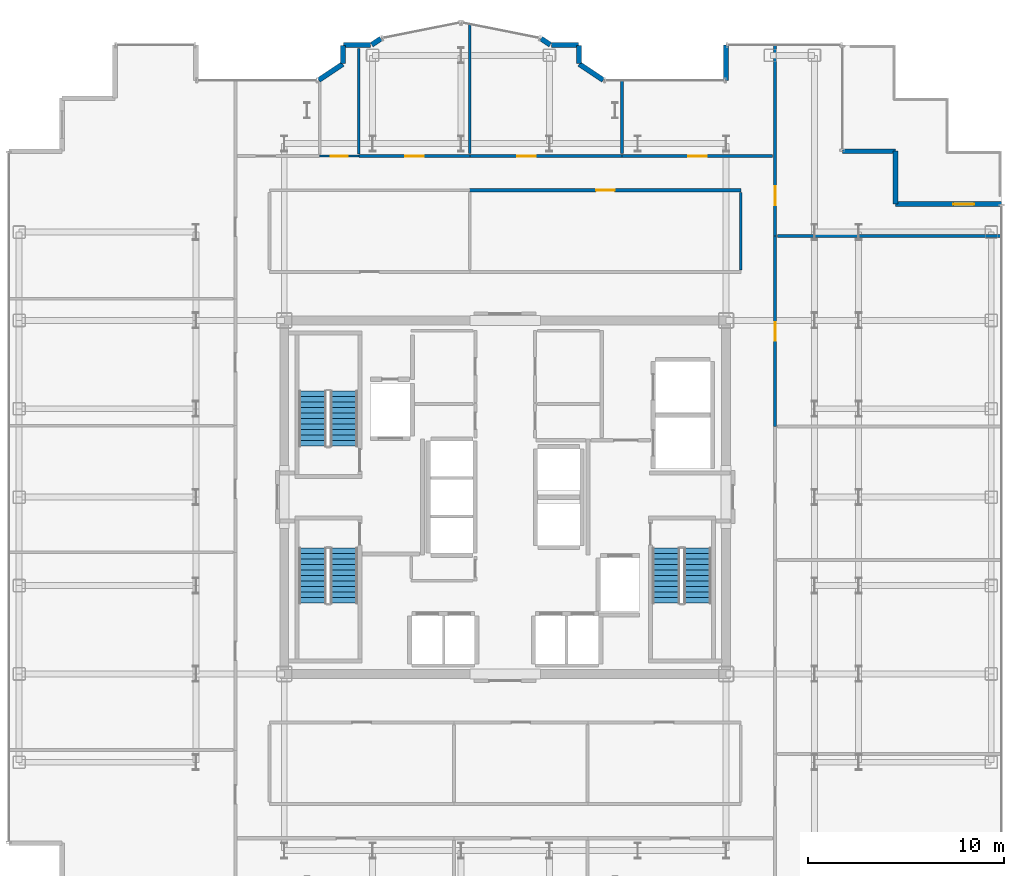
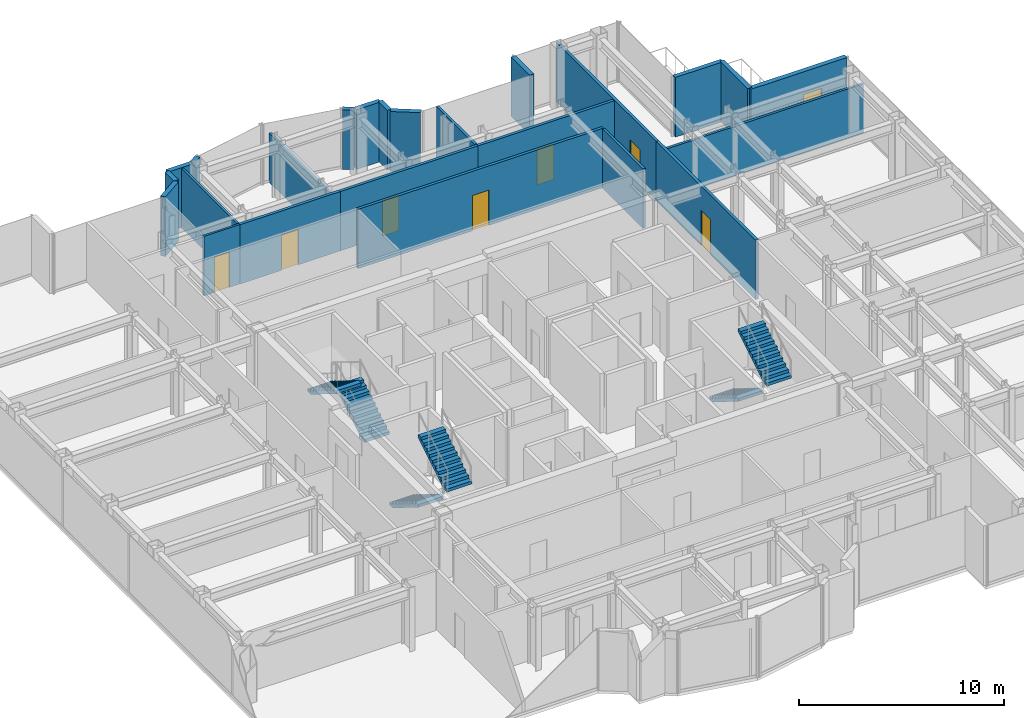
# One storey, part 18 of 20: 24 walls, 8 doors, 6 stair flights, 8 openings, 3 elements without a shape of their own.
"""IFC4 building model written with IfcOpenShell, lengths in metres."""

from ifc_helpers import new_model, si_unit, direction, frame, frame_2d, origin, place, context, subcontext, project, spatial, polyline, rectangle, outline, extrude, source, transform, mapped, material, layer, layer_set, type_object, element, fill, aggregate, save


model = new_model("IFC4")

# Units and contexts
model_context = context("Model", 3, precision=1e-05, world=origin(), true_north=direction((0.0, 1.0)))
body_context = subcontext(model_context, "Body", "Model", "MODEL_VIEW")
ifc_project = project(units=[si_unit("LENGTHUNIT", "METRE"), si_unit("AREAUNIT", "SQUARE_METRE"), si_unit("VOLUMEUNIT", "CUBIC_METRE"), si_unit("PLANEANGLEUNIT", "RADIAN"), si_unit("MASSUNIT", "GRAM", prefix="KILO")], contexts=[model_context])

# Site, building, storey
site_placement = place(None, origin())
site = spatial("IfcSite", under=ifc_project, at=site_placement, CompositionType="ELEMENT")
building_placement = place(site_placement, origin())
building = spatial("IfcBuilding", under=site, at=building_placement, Name="Nefas-Gora Pilgrimage Tower", CompositionType="ELEMENT")
storey_placement = place(building_placement, frame((0.0, 0.0, 221.800048828125)))
storey = spatial("IfcBuildingStorey", under=building, at=storey_placement, Name="L55", CompositionType="ELEMENT", Elevation=221.800048828125)

# Walls
ifc_material_1 = material(Name="Precast concrete C40/50", Category="concrete")
ifc_layer_1 = layer(ifc_material_1, 0.260009765625)
ifc_layer_set_1 = layer_set([ifc_layer_1], Name="Precast concrete C40/50")
wall_type_1 = type_object("IfcWallType", Name="EW-PORTAL-260", PredefinedType="SOLIDWALL", material=ifc_layer_set_1)
shared_shape_1 = source(origin(), body_context, "Body", "SweptSolid", [
    extrude(rectangle(XDim=1.800048828125, YDim=0.260009765625, at=frame_2d((0.89990234375, 0.0))), origin(), (0.0, 0.0, 1.0), 3.550048828125),
])
wall_1_placement = place(storey_placement, frame((11.25, 23.02001953125, 0.0), z_axis=(0.0, 0.0, 1.0), x_axis=(0.0, -1.0, 0.0)))
element("IfcWall", 1, at=wall_1_placement, inside=storey, type_object=wall_type_1, Name="L55 Lobe Shoulder Precast Spandrel Pier 9", PredefinedType="SOLIDWALL", context=body_context, shape_type="MappedRepresentation", body=[
    mapped(shared_shape_1, transform((0.0, 0.0, 0.0), x_axis=(1.0, 0.0, 0.0), y_axis=(0.0, 1.0, 0.0), z_axis=(0.0, 0.0, 1.0), scale=1.0)),
])
shared_shape_2 = source(origin(), body_context, "Body", "SweptSolid", [
    extrude(rectangle(XDim=1.468994140625, YDim=0.260009765625, at=frame_2d((0.734375, 0.0))), origin(), (0.0, 0.0, 1.0), 3.550048828125),
])
for number, where, z_axis, x_axis, name in (
    (2, (4.99462890625, 21.235595703125, 0.0), (0.0, 0.0, 1.0), (-0.831461760506, 0.555581983884, 0.0), "L55 Lobe Shoulder Precast Spandrel Pier 10"),
    (3, (-8.273193359375, 22.0517578125, 0.0), (0.0, 0.0, 1.0), (-0.831461760506, -0.555581983884, 0.0), "L55 Lobe Shoulder Precast Spandrel Pier 17"),
):
    element("IfcWall", number, at=place(storey_placement, frame(where, z_axis=z_axis, x_axis=x_axis)), inside=storey, type_object=wall_type_1, Name=name, PredefinedType="SOLIDWALL", context=body_context, shape_type="MappedRepresentation", body=[
        mapped(shared_shape_2, transform((0.0, 0.0, 0.0), x_axis=(1.0, 0.0, 0.0), y_axis=(0.0, 1.0, 0.0), z_axis=(0.0, 0.0, 1.0), scale=1.0)),
    ])
shared_shape_3 = source(origin(), body_context, "Body", "SweptSolid", [
    extrude(rectangle(XDim=0.896728515625, YDim=0.260009765625, at=frame_2d((0.4482421875, 0.0))), origin(), (0.0, 0.0, 1.0), 3.550048828125),
])
for number, where, z_axis, x_axis, name in (
    (4, (3.75, 22.09521484375, 0.0), (0.0, 0.0, 1.0), (0.0, 1.0, 0.0), "L55 Lobe Shoulder Precast Spandrel Pier 11"),
    (5, (-8.25, 22.991943359375, 0.0), (0.0, 0.0, 1.0), (0.0, -1.0, 0.0), "L55 Lobe Shoulder Precast Spandrel Pier 16"),
):
    element("IfcWall", number, at=place(storey_placement, frame(where, z_axis=z_axis, x_axis=x_axis)), inside=storey, type_object=wall_type_1, Name=name, PredefinedType="SOLIDWALL", context=body_context, shape_type="MappedRepresentation", body=[
        mapped(shared_shape_3, transform((0.0, 0.0, 0.0), x_axis=(1.0, 0.0, 0.0), y_axis=(0.0, 1.0, 0.0), z_axis=(0.0, 0.0, 1.0), scale=1.0)),
    ])
shared_shape_4 = source(origin(), body_context, "Body", "SweptSolid", [
    extrude(rectangle(XDim=1.369873046875, YDim=0.260009765625, at=frame_2d((0.68505859375, 0.0))), origin(), (0.0, 0.0, 1.0), 3.550048828125),
])
for number, where, z_axis, x_axis, name in (
    (6, (3.721923828125, 23.02001953125, 0.0), (0.0, 0.0, 1.0), (-1.0, 0.0, 0.0), "L55 Lobe Shoulder Precast Spandrel Pier 12"),
    (7, (-6.85205078125, 23.02001953125, 0.0), (0.0, 0.0, 1.0), (-1.0, 0.0, 0.0), "L55 Lobe Shoulder Precast Spandrel Pier 15"),
):
    element("IfcWall", number, at=place(storey_placement, frame(where, z_axis=z_axis, x_axis=x_axis)), inside=storey, type_object=wall_type_1, Name=name, PredefinedType="SOLIDWALL", context=body_context, shape_type="MappedRepresentation", body=[
        mapped(shared_shape_4, transform((0.0, 0.0, 0.0), x_axis=(1.0, 0.0, 0.0), y_axis=(0.0, 1.0, 0.0), z_axis=(0.0, 0.0, 1.0), scale=1.0)),
    ])
shared_shape_5 = source(origin(), body_context, "Body", "SweptSolid", [
    extrude(rectangle(XDim=0.5654296875, YDim=0.260009765625, at=frame_2d((0.28271484375, 0.0))), origin(), (0.0, 0.0, 1.0), 3.550048828125),
])
for number, where, z_axis, x_axis, name in (
    (8, (2.30078125, 23.03564453125, 0.0), (0.0, 0.0, 1.0), (-0.831651492666, 0.555297933317, 0.0), "L55 Lobe Shoulder Precast Spandrel Pier 13"),
    (9, (-6.33056640625, 23.349609375, 0.0), (0.0, 0.0, 1.0), (-0.831651492666, -0.555297933317, 0.0), "L55 Lobe Shoulder Precast Spandrel Pier 14"),
):
    element("IfcWall", number, at=place(storey_placement, frame(where, z_axis=z_axis, x_axis=x_axis)), inside=storey, type_object=wall_type_1, Name=name, PredefinedType="SOLIDWALL", context=body_context, shape_type="MappedRepresentation", body=[
        mapped(shared_shape_5, transform((0.0, 0.0, 0.0), x_axis=(1.0, 0.0, 0.0), y_axis=(0.0, 1.0, 0.0), z_axis=(0.0, 0.0, 1.0), scale=1.0)),
    ])

# Wall, opening, door
shared_shape_6 = source(origin(), body_context, "Body", "SweptSolid", [
    extrude(rectangle(XDim=5.39990234375, YDim=0.260009765625, at=frame_2d((2.699951171875, 0.0))), origin(), (0.0, 0.0, 1.0), 3.550048828125),
])
wall_2_placement = place(storey_placement, frame((25.27001953125, 14.919921875, 0.0), z_axis=(0.0, 0.0, 1.0), x_axis=(-1.0, 0.0, 0.0)))
wall_2 = element("IfcWall", 10, at=wall_2_placement, inside=storey, type_object=wall_type_1, Name="L55 Insulated Terrace Portal Wall 6", PredefinedType="SOLIDWALL", context=body_context, shape_type="MappedRepresentation", body=[
    mapped(shared_shape_6, transform((0.0, 0.0, 0.0), x_axis=(1.0, 0.0, 0.0), y_axis=(0.0, 1.0, 0.0), z_axis=(0.0, 0.0, 1.0), scale=1.0)),
])
opening_1_placement = place(wall_2_placement, frame((1.39697265625, 0.0, 0.0)))
opening_1 = element("IfcOpeningElement", 11, at=opening_1_placement, cuts=wall_2, Name="Opening ED-T1", PredefinedType="OPENING", context=body_context, shape_type="SweptSolid", body=[
    extrude(rectangle(XDim=1.050048828125, YDim=2.199951171875, at=frame_2d((0.52490234375, 1.10009765625))), frame((0.0, 0.139892578125, 0.0), z_axis=(0.0, -1.0, 0.0), x_axis=(1.0, 0.0, 0.0)), (0.0, 0.0, 1.0), 0.280029296875),
])
ifc_material_2 = material(Name="Thermally broken glazed aluminium terrace door", Category="aluminium")
door_type_1 = type_object("IfcDoorType", Name="DR-EXT-TER-1050", OperationType="NOTDEFINED", PredefinedType="DOOR", material=ifc_material_2)
shared_shape_7 = source(origin(), body_context, "Body", "SweptSolid", [
    extrude(rectangle(XDim=1.050048828125, YDim=2.199951171875, at=frame_2d((0.52490234375, 1.10009765625))), frame((0.0, 0.02490234375, 0.0), z_axis=(0.0, -1.0, 0.0), x_axis=(1.0, 0.0, 0.0)), (0.0, 0.0, 1.0), 0.050048828125),
])
door_1_placement = place(opening_1_placement, origin())
door_1 = element("IfcDoor", 12, at=door_1_placement, inside=storey, type_object=door_type_1, Name="L55 Exterior Door (L55 Outdoor Terrace TER-SP-NE)", OperationType="SINGLE_SWING_LEFT", OverallHeight=2.199951171875, OverallWidth=1.050048828125, PredefinedType="DOOR", context=body_context, shape_type="MappedRepresentation", body=[
    mapped(shared_shape_7, transform((0.0, 0.0, 0.0), x_axis=(1.0, 0.0, 0.0), y_axis=(0.0, 1.0, 0.0), z_axis=(0.0, 0.0, 1.0), scale=1.0)),
])
fill(opening_1, door_1)

# Walls
ifc_material_3 = material(Name="Precast concrete C45/55", Category="concrete")
ifc_layer_2 = layer(ifc_material_3, 0.239990234375)
ifc_layer_set_2 = layer_set([ifc_layer_2], Name="Precast concrete C45/55")
wall_type_2 = type_object("IfcWallType", Name="EW-SERR-240", PredefinedType="SHEAR", material=ifc_layer_set_2)
shared_shape_8 = source(origin(), body_context, "Body", "SweptSolid", [
    extrude(rectangle(XDim=2.7001953125, YDim=0.239990234375, at=frame_2d((1.35009765625, 0.0))), origin(), (0.0, 0.0, 1.0), 3.550048828125),
])
for number, where, z_axis, x_axis, name in (
    (13, (19.8701171875, 14.919921875, 0.0), (0.0, 0.0, 1.0), (0.0, 1.0, 0.0), "L55 Serrated Corner Shear Pier Wall 7"),
    (14, (19.8701171875, 17.6201171875, 0.0), (0.0, 0.0, 1.0), (-1.0, 0.0, 0.0), "L55 Serrated Corner Shear Pier Wall 8"),
):
    element("IfcWall", number, at=place(storey_placement, frame(where, z_axis=z_axis, x_axis=x_axis)), inside=storey, type_object=wall_type_2, Name=name, PredefinedType="SHEAR", context=body_context, shape_type="MappedRepresentation", body=[
        mapped(shared_shape_8, transform((0.0, 0.0, 0.0), x_axis=(1.0, 0.0, 0.0), y_axis=(0.0, 1.0, 0.0), z_axis=(0.0, 0.0, 1.0), scale=1.0)),
    ])

# Wall, opening, door
ifc_material_4 = material(Name="Moisture-resistant fire-rated gypsum partition")
ifc_layer_3 = layer(ifc_material_4, 0.1201171875)
ifc_layer_set_3 = layer_set([ifc_layer_3], Name="Moisture-resistant fire-rated gypsum partition")
wall_type_3 = type_object("IfcWallType", Name="IW-WET-120", PredefinedType="PLUMBINGWALL", material=ifc_layer_set_3)
shared_shape_9 = source(origin(), body_context, "Body", "SweptSolid", [
    extrude(rectangle(XDim=2.02001953125, YDim=0.1201171875, at=frame_2d((1.010009765625, 0.0))), origin(), (0.0, 0.0, 1.0), 3.534912109375),
])
wall_3_placement = place(storey_placement, frame((-9.4599609375, 17.3701171875, 0.0), z_axis=(0.0, 0.0, 1.0), x_axis=(1.0, 0.0, 0.0)))
wall_3 = element("IfcWall", 15, at=wall_3_placement, inside=storey, type_object=wall_type_3, Name="L55 Accessible Unisex WC Partition Wall 29", PredefinedType="PLUMBINGWALL", context=body_context, shape_type="MappedRepresentation", body=[
    mapped(shared_shape_9, transform((0.0, 0.0, 0.0), x_axis=(1.0, 0.0, 0.0), y_axis=(0.0, 1.0, 0.0), z_axis=(0.0, 0.0, 1.0), scale=1.0)),
])
opening_2_placement = place(wall_3_placement, frame((0.5849609375, 0.0, 0.0)))
opening_2 = element("IfcOpeningElement", 16, at=opening_2_placement, cuts=wall_3, Name="Opening ID-BT1", PredefinedType="OPENING", context=body_context, shape_type="SweptSolid", body=[
    extrude(rectangle(XDim=0.85009765625, YDim=2.10009765625, at=frame_2d((0.425048828125, 1.050048828125))), frame((0.0, 0.070068359375, 0.0), z_axis=(0.0, -1.0, 0.0), x_axis=(1.0, 0.0, 0.0)), (0.0, 0.0, 1.0), 0.14013671875),
])
ifc_material_5 = material(Name="Moisture-resistant fire-rated timber door", Category="wood")
door_type_2 = type_object("IfcDoorType", Name="DR-INT-BATH-850", OperationType="NOTDEFINED", PredefinedType="DOOR", material=ifc_material_5)
shared_shape_10 = source(origin(), body_context, "Body", "SweptSolid", [
    extrude(rectangle(XDim=0.85009765625, YDim=2.10009765625, at=frame_2d((0.425048828125, 1.050048828125))), frame((0.0, 0.02490234375, 0.0), z_axis=(0.0, -1.0, 0.0), x_axis=(1.0, 0.0, 0.0)), (0.0, 0.0, 1.0), 0.050048828125),
])
door_2_placement = place(opening_2_placement, origin())
door_2 = element("IfcDoor", 17, at=door_2_placement, inside=storey, type_object=door_type_2, Name="L55 Accessible Unisex WC Door 12", OperationType="SINGLE_SWING_RIGHT", OverallHeight=2.10009765625, OverallWidth=0.85009765625, PredefinedType="DOOR", context=body_context, shape_type="MappedRepresentation", body=[
    mapped(shared_shape_10, transform((0.0, 0.0, 0.0), x_axis=(1.0, 0.0, 0.0), y_axis=(0.0, 1.0, 0.0), z_axis=(0.0, 0.0, 1.0), scale=1.0)),
])
fill(opening_2, door_2)

ifc_material_6 = material(Name="Gypsum acoustic stud partition")
ifc_layer_4 = layer(ifc_material_6, 0.159912109375)
ifc_layer_set_4 = layer_set([ifc_layer_4], Name="Gypsum acoustic stud partition")
wall_type_4 = type_object("IfcWallType", Name="IW-CORR-160", PredefinedType="PARTITIONING", material=ifc_layer_set_4)
shared_shape_11 = source(origin(), body_context, "Body", "SweptSolid", [
    extrude(rectangle(XDim=7.66015625, YDim=0.159912109375, at=frame_2d((3.830078125, 0.0))), origin(), (0.0, 0.0, 1.0), 3.534912109375),
])
wall_4_placement = place(storey_placement, frame((5.9599609375, 17.3701171875, 0.0), z_axis=(0.0, 0.0, 1.0), x_axis=(1.0, 0.0, 0.0)))
wall_4 = element("IfcWall", 18, at=wall_4_placement, inside=storey, type_object=wall_type_4, Name="L55 Pilgrim Contemplative Lounge Partition Wall 59", PredefinedType="PARTITIONING", context=body_context, shape_type="MappedRepresentation", body=[
    mapped(shared_shape_11, transform((0.0, 0.0, 0.0), x_axis=(1.0, 0.0, 0.0), y_axis=(0.0, 1.0, 0.0), z_axis=(0.0, 0.0, 1.0), scale=1.0)),
])
opening_3_placement = place(wall_4_placement, frame((3.35498046875, 0.0, 0.0)))
opening_3 = element("IfcOpeningElement", 19, at=opening_3_placement, cuts=wall_4, Name="Opening ID-GR1", PredefinedType="OPENING", context=body_context, shape_type="SweptSolid", body=[
    extrude(rectangle(XDim=0.949951171875, YDim=2.10009765625, at=frame_2d((0.47509765625, 1.050048828125))), frame((0.0, 0.08984375, 0.0), z_axis=(0.0, -1.0, 0.0), x_axis=(1.0, 0.0, 0.0)), (0.0, 0.0, 1.0), 0.179931640625),
])
ifc_material_7 = material(Name="Solid core oak fire-rated guest entrance door")
door_type_3 = type_object("IfcDoorType", Name="DR-INT-GUEST-950", OperationType="NOTDEFINED", PredefinedType="DOOR", material=ifc_material_7)
shared_shape_12 = source(origin(), body_context, "Body", "SweptSolid", [
    extrude(rectangle(XDim=0.949951171875, YDim=2.10009765625, at=frame_2d((0.47509765625, 1.050048828125))), frame((0.0, 0.02490234375, 0.0), z_axis=(0.0, -1.0, 0.0), x_axis=(1.0, 0.0, 0.0)), (0.0, 0.0, 1.0), 0.050048828125),
])
door_3_placement = place(opening_3_placement, origin())
door_3 = element("IfcDoor", 20, at=door_3_placement, inside=storey, type_object=door_type_3, Name="L55 Pilgrim Contemplative Lounge Door 27", OperationType="SINGLE_SWING_LEFT", OverallHeight=2.10009765625, OverallWidth=0.949951171875, PredefinedType="DOOR", context=body_context, shape_type="MappedRepresentation", body=[
    mapped(shared_shape_12, transform((0.0, 0.0, 0.0), x_axis=(1.0, 0.0, 0.0), y_axis=(0.0, 1.0, 0.0), z_axis=(0.0, 0.0, 1.0), scale=1.0)),
])
fill(opening_3, door_3)

# Walls
shared_shape_13 = source(origin(), body_context, "Body", "SweptSolid", [
    extrude(rectangle(XDim=5.380126953125, YDim=0.1201171875, at=frame_2d((2.68994140625, 0.0))), origin(), (0.0, 0.0, 1.0), 3.534912109375),
])
wall_5_placement = place(storey_placement, frame((-7.449951171875, 17.469970703125, 0.0), z_axis=(0.0, 0.0, 1.0), x_axis=(0.0, 1.0, 0.0)))
element("IfcWall", 21, at=wall_5_placement, inside=storey, type_object=wall_type_3, Name="L55 Accessible Unisex WC Partition Wall 30", PredefinedType="PLUMBINGWALL", context=body_context, shape_type="MappedRepresentation", body=[
    mapped(shared_shape_13, transform((0.0, 0.0, 0.0), x_axis=(1.0, 0.0, 0.0), y_axis=(0.0, 1.0, 0.0), z_axis=(0.0, 0.0, 1.0), scale=1.0)),
])
ifc_material_8 = material(Name="Gypsum twin-stud partition")
ifc_layer_5 = layer(ifc_material_8, 0.139892578125)
ifc_layer_set_5 = layer_set([ifc_layer_5], Name="Gypsum twin-stud partition")
wall_type_5 = type_object("IfcWallType", Name="IW-UNIT-140", PredefinedType="PARTITIONING", material=ifc_layer_set_5)
shared_shape_14 = source(origin(), body_context, "Body", "SweptSolid", [
    extrude(rectangle(XDim=3.929931640625, YDim=0.139892578125, at=frame_2d((1.96484375, 0.0))), origin(), (0.0, 0.0, 1.0), 3.534912109375),
])
wall_6_placement = place(storey_placement, frame((12.0, 11.580078125, 0.0), z_axis=(0.0, 0.0, 1.0), x_axis=(0.0, 1.0, 0.0)))
element("IfcWall", 22, at=wall_6_placement, inside=storey, type_object=wall_type_5, Name="L55 Pilgrim Contemplative Lounge Partition Wall 62", PredefinedType="PARTITIONING", context=body_context, shape_type="MappedRepresentation", body=[
    mapped(shared_shape_14, transform((0.0, 0.0, 0.0), x_axis=(1.0, 0.0, 0.0), y_axis=(0.0, 1.0, 0.0), z_axis=(0.0, 0.0, 1.0), scale=1.0)),
])
shared_shape_15 = source(origin(), body_context, "Body", "SweptSolid", [
    extrude(rectangle(XDim=3.75, YDim=0.139892578125, at=frame_2d((1.875, 0.0))), origin(), (0.0, 0.0, 1.0), 3.534912109375),
])
wall_7_placement = place(storey_placement, frame((5.949951171875, 17.489990234375, 0.0), z_axis=(0.0, 0.0, 1.0), x_axis=(0.0, 1.0, 0.0)))
element("IfcWall", 23, at=wall_7_placement, inside=storey, type_object=wall_type_5, Name="L55 Pilgrim Contemplative Lounge Partition Wall 58", PredefinedType="PARTITIONING", context=body_context, shape_type="MappedRepresentation", body=[
    mapped(shared_shape_15, transform((0.0, 0.0, 0.0), x_axis=(1.0, 0.0, 0.0), y_axis=(0.0, 1.0, 0.0), z_axis=(0.0, 0.0, 1.0), scale=1.0)),
])

# Wall, opening, door
shared_shape_16 = source(origin(), body_context, "Body", "SweptSolid", [
    extrude(rectangle(XDim=13.81494140625, YDim=0.159912109375, at=frame_2d((6.907470703125, 0.0))), origin(), (0.0, 0.0, 1.0), 3.534912109375),
])
wall_8_placement = place(storey_placement, frame((-1.804931640625, 15.6298828125, 0.0), z_axis=(0.0, 0.0, 1.0), x_axis=(1.0, 0.0, 0.0)))
wall_8 = element("IfcWall", 24, at=wall_8_placement, inside=storey, type_object=wall_type_4, Name="L55 Pilgrim Contemplative Lounge Partition Wall 60", PredefinedType="PARTITIONING", context=body_context, shape_type="MappedRepresentation", body=[
    mapped(shared_shape_16, transform((0.0, 0.0, 0.0), x_axis=(1.0, 0.0, 0.0), y_axis=(0.0, 1.0, 0.0), z_axis=(0.0, 0.0, 1.0), scale=1.0)),
])
opening_4_placement = place(wall_8_placement, frame((6.4326171875, 0.0, 0.0)))
opening_4 = element("IfcOpeningElement", 25, at=opening_4_placement, cuts=wall_8, Name="Opening ID-GR1", PredefinedType="OPENING", context=body_context, shape_type="SweptSolid", body=[
    extrude(rectangle(XDim=0.949951171875, YDim=2.10009765625, at=frame_2d((0.47509765625, 1.050048828125))), frame((0.0, 0.08984375, 0.0), z_axis=(0.0, -1.0, 0.0), x_axis=(1.0, 0.0, 0.0)), (0.0, 0.0, 1.0), 0.179931640625),
])
door_4_placement = place(opening_4_placement, origin())
door_4 = element("IfcDoor", 26, at=door_4_placement, inside=storey, type_object=door_type_3, Name="L55 Pilgrim Contemplative Lounge Door 28", OperationType="SINGLE_SWING_RIGHT", OverallHeight=2.10009765625, OverallWidth=0.949951171875, PredefinedType="DOOR", context=body_context, shape_type="MappedRepresentation", body=[
    mapped(shared_shape_12, transform((0.0, 0.0, 0.0), x_axis=(1.0, 0.0, 0.0), y_axis=(0.0, 1.0, 0.0), z_axis=(0.0, 0.0, 1.0), scale=1.0)),
])
fill(opening_4, door_4)

# Wall
shared_shape_17 = source(origin(), body_context, "Body", "SweptSolid", [
    extrude(rectangle(XDim=11.429931640625, YDim=0.139892578125, at=frame_2d((5.71484375, 0.0))), origin(), (0.0, 0.0, 1.0), 2.925048828125),
])
wall_9_placement = place(storey_placement, frame((13.860107421875, 13.297607421875, 0.0), z_axis=(0.0, 0.0, 1.0), x_axis=(1.0, 0.0, 0.0)))
element("IfcWall", 27, at=wall_9_placement, inside=storey, type_object=wall_type_5, Name="L55 Pilgrim Contemplative Lounge Partition Wall 48", PredefinedType="PARTITIONING", context=body_context, shape_type="MappedRepresentation", body=[
    mapped(shared_shape_17, transform((0.0, 0.0, 0.0), x_axis=(1.0, 0.0, 0.0), y_axis=(0.0, 1.0, 0.0), z_axis=(0.0, 0.0, 1.0), scale=1.0)),
])

# Wall, opening, door
shared_shape_18 = source(origin(), body_context, "Body", "SweptSolid", [
    extrude(rectangle(XDim=9.75244140625, YDim=0.159912109375, at=frame_2d((4.876220703125, 0.0))), origin(), (0.0, 0.0, 1.0), 3.534912109375),
])
wall_10_placement = place(storey_placement, frame((13.739990234375, 13.28759765625, 0.0), z_axis=(0.0, 0.0, 1.0), x_axis=(0.0, 1.0, 0.0)))
wall_10 = element("IfcWall", 28, at=wall_10_placement, inside=storey, type_object=wall_type_4, Name="L55 Pilgrim Contemplative Lounge Partition Wall 47", PredefinedType="PARTITIONING", context=body_context, shape_type="MappedRepresentation", body=[
    mapped(shared_shape_18, transform((0.0, 0.0, 0.0), x_axis=(1.0, 0.0, 0.0), y_axis=(0.0, 1.0, 0.0), z_axis=(0.0, 0.0, 1.0), scale=1.0)),
])
opening_5_placement = place(wall_10_placement, frame((1.586181640625, 0.0, 0.0)))
opening_5 = element("IfcOpeningElement", 29, at=opening_5_placement, cuts=wall_10, Name="Opening ID-GR1", PredefinedType="OPENING", context=body_context, shape_type="SweptSolid", body=[
    extrude(rectangle(XDim=0.949951171875, YDim=2.10009765625, at=frame_2d((0.47509765625, 1.050048828125))), frame((0.0, 0.08984375, 0.0), z_axis=(0.0, -1.0, 0.0), x_axis=(1.0, 0.0, 0.0)), (0.0, 0.0, 1.0), 0.179931640625),
])
door_5_placement = place(opening_5_placement, origin())
door_5 = element("IfcDoor", 30, at=door_5_placement, inside=storey, type_object=door_type_3, Name="L55 Pilgrim Contemplative Lounge Door 21", OperationType="SINGLE_SWING_LEFT", OverallHeight=2.10009765625, OverallWidth=0.949951171875, PredefinedType="DOOR", context=body_context, shape_type="MappedRepresentation", body=[
    mapped(shared_shape_12, transform((0.0, 0.0, 0.0), x_axis=(1.0, 0.0, 0.0), y_axis=(0.0, 1.0, 0.0), z_axis=(0.0, 0.0, 1.0), scale=1.0)),
])
fill(opening_5, door_5)

shared_shape_19 = source(origin(), body_context, "Body", "SweptSolid", [
    extrude(rectangle(XDim=9.692626953125, YDim=0.159912109375, at=frame_2d((4.84619140625, 0.0))), origin(), (0.0, 0.0, 1.0), 3.534912109375),
])
wall_11_placement = place(storey_placement, frame((13.739990234375, 3.594970703125, 0.0), z_axis=(0.0, 0.0, 1.0), x_axis=(0.0, 1.0, 0.0)))
wall_11 = element("IfcWall", 31, at=wall_11_placement, inside=storey, type_object=wall_type_4, Name="L55 Pilgrim Contemplative Lounge Partition Wall 49", PredefinedType="PARTITIONING", context=body_context, shape_type="MappedRepresentation", body=[
    mapped(shared_shape_19, transform((0.0, 0.0, 0.0), x_axis=(1.0, 0.0, 0.0), y_axis=(0.0, 1.0, 0.0), z_axis=(0.0, 0.0, 1.0), scale=1.0)),
])
opening_6_placement = place(wall_11_placement, frame((4.37109375, 0.0, 0.0)))
opening_6 = element("IfcOpeningElement", 32, at=opening_6_placement, cuts=wall_11, Name="Opening ID-GR1", PredefinedType="OPENING", context=body_context, shape_type="SweptSolid", body=[
    extrude(rectangle(XDim=0.949951171875, YDim=2.10009765625, at=frame_2d((0.47509765625, 1.050048828125))), frame((0.0, 0.08984375, 0.0), z_axis=(0.0, -1.0, 0.0), x_axis=(1.0, 0.0, 0.0)), (0.0, 0.0, 1.0), 0.179931640625),
])
door_6_placement = place(opening_6_placement, origin())
door_6 = element("IfcDoor", 33, at=door_6_placement, inside=storey, type_object=door_type_3, Name="L55 Pilgrim Contemplative Lounge Door 22", OperationType="SINGLE_SWING_RIGHT", OverallHeight=2.10009765625, OverallWidth=0.949951171875, PredefinedType="DOOR", context=body_context, shape_type="MappedRepresentation", body=[
    mapped(shared_shape_12, transform((0.0, 0.0, 0.0), x_axis=(1.0, 0.0, 0.0), y_axis=(0.0, 1.0, 0.0), z_axis=(0.0, 0.0, 1.0), scale=1.0)),
])
fill(opening_6, door_6)

shared_shape_20 = source(origin(), body_context, "Body", "SweptSolid", [
    extrude(rectangle(XDim=5.64501953125, YDim=0.159912109375, at=frame_2d((2.822509765625, 0.0))), origin(), (0.0, 0.0, 1.0), 3.534912109375),
])
wall_12_placement = place(storey_placement, frame((-7.43994140625, 17.3701171875, 0.0), z_axis=(0.0, 0.0, 1.0), x_axis=(1.0, 0.0, 0.0)))
wall_12 = element("IfcWall", 34, at=wall_12_placement, inside=storey, type_object=wall_type_4, Name="L55 Pilgrim Contemplative Lounge Partition Wall 54", PredefinedType="PARTITIONING", context=body_context, shape_type="MappedRepresentation", body=[
    mapped(shared_shape_20, transform((0.0, 0.0, 0.0), x_axis=(1.0, 0.0, 0.0), y_axis=(0.0, 1.0, 0.0), z_axis=(0.0, 0.0, 1.0), scale=1.0)),
])
opening_7_placement = place(wall_12_placement, frame((2.347412109375, 0.0, 0.0)))
opening_7 = element("IfcOpeningElement", 35, at=opening_7_placement, cuts=wall_12, Name="Opening ID-GR1", PredefinedType="OPENING", context=body_context, shape_type="SweptSolid", body=[
    extrude(rectangle(XDim=0.949951171875, YDim=2.10009765625, at=frame_2d((0.47509765625, 1.050048828125))), frame((0.0, 0.08984375, 0.0), z_axis=(0.0, -1.0, 0.0), x_axis=(1.0, 0.0, 0.0)), (0.0, 0.0, 1.0), 0.179931640625),
])
door_7_placement = place(opening_7_placement, origin())
door_7 = element("IfcDoor", 36, at=door_7_placement, inside=storey, type_object=door_type_3, Name="L55 Pilgrim Contemplative Lounge Door 24", OperationType="SINGLE_SWING_RIGHT", OverallHeight=2.10009765625, OverallWidth=0.949951171875, PredefinedType="DOOR", context=body_context, shape_type="MappedRepresentation", body=[
    mapped(shared_shape_12, transform((0.0, 0.0, 0.0), x_axis=(1.0, 0.0, 0.0), y_axis=(0.0, 1.0, 0.0), z_axis=(0.0, 0.0, 1.0), scale=1.0)),
])
fill(opening_7, door_7)

# Wall
shared_shape_21 = source(origin(), body_context, "Body", "SweptSolid", [
    extrude(rectangle(XDim=6.6142578125, YDim=0.139892578125, at=frame_2d((3.30712890625, 0.0))), origin(), (0.0, 0.0, 1.0), 2.925048828125),
])
wall_13_placement = place(storey_placement, frame((-1.804931640625, 17.489990234375, 0.0), z_axis=(0.0, 0.0, 1.0), x_axis=(0.0, 1.0, 0.0)))
element("IfcWall", 37, at=wall_13_placement, inside=storey, type_object=wall_type_5, Name="L55 Pilgrim Contemplative Lounge Partition Wall 55", PredefinedType="PARTITIONING", context=body_context, shape_type="MappedRepresentation", body=[
    mapped(shared_shape_21, transform((0.0, 0.0, 0.0), x_axis=(1.0, 0.0, 0.0), y_axis=(0.0, 1.0, 0.0), z_axis=(0.0, 0.0, 1.0), scale=1.0)),
])

# Wall, opening, door
shared_shape_22 = source(origin(), body_context, "Body", "SweptSolid", [
    extrude(rectangle(XDim=7.764892578125, YDim=0.159912109375, at=frame_2d((3.88232421875, 0.0))), origin(), (0.0, 0.0, 1.0), 3.534912109375),
])
wall_14_placement = place(storey_placement, frame((-1.804931640625, 17.3701171875, 0.0), z_axis=(0.0, 0.0, 1.0), x_axis=(1.0, 0.0, 0.0)))
wall_14 = element("IfcWall", 38, at=wall_14_placement, inside=storey, type_object=wall_type_4, Name="L55 Pilgrim Contemplative Lounge Partition Wall 57", PredefinedType="PARTITIONING", context=body_context, shape_type="MappedRepresentation", body=[
    mapped(shared_shape_22, transform((0.0, 0.0, 0.0), x_axis=(1.0, 0.0, 0.0), y_axis=(0.0, 1.0, 0.0), z_axis=(0.0, 0.0, 1.0), scale=1.0)),
])
opening_8_placement = place(wall_14_placement, frame((2.40673828125, 0.0, 0.0)))
opening_8 = element("IfcOpeningElement", 39, at=opening_8_placement, cuts=wall_14, Name="Opening ID-GR1", PredefinedType="OPENING", context=body_context, shape_type="SweptSolid", body=[
    extrude(rectangle(XDim=0.949951171875, YDim=2.10009765625, at=frame_2d((0.47509765625, 1.050048828125))), frame((0.0, 0.08984375, 0.0), z_axis=(0.0, -1.0, 0.0), x_axis=(1.0, 0.0, 0.0)), (0.0, 0.0, 1.0), 0.179931640625),
])
door_8_placement = place(opening_8_placement, origin())
door_8 = element("IfcDoor", 40, at=door_8_placement, inside=storey, type_object=door_type_3, Name="L55 Pilgrim Contemplative Lounge Door 26", OperationType="SINGLE_SWING_RIGHT", OverallHeight=2.10009765625, OverallWidth=0.949951171875, PredefinedType="DOOR", context=body_context, shape_type="MappedRepresentation", body=[
    mapped(shared_shape_12, transform((0.0, 0.0, 0.0), x_axis=(1.0, 0.0, 0.0), y_axis=(0.0, 1.0, 0.0), z_axis=(0.0, 0.0, 1.0), scale=1.0)),
])
fill(opening_8, door_8)

# Stair, stair flights
ifc_material_9 = material(Name="Concrete C45/55", Category="concrete")
stair_type = type_object("IfcStairType", Name="STR-1400-R1727", PredefinedType="HALF_TURN_STAIR", material=ifc_material_9)
stair_1_placement = place(storey_placement, origin())
stair_1 = element("IfcStair", 41, at=stair_1_placement, inside=storey, type_object=stair_type, Name="L55 Pressurised Tower Exit Stair ST-01", PredefinedType="HALF_TURN_STAIR")
stair_flight_type = type_object("IfcStairFlightType", Name="STF-1400-R1727", PredefinedType="STRAIGHT", material=ifc_material_9)
shared_shape_23 = source(origin(), body_context, "Body", "SweptSolid", [
    extrude(outline(polyline([(0.0, 0.0), (0.0, 0.172607421875), (0.280029296875, 0.172607421875), (0.280029296875, 0.345458984375), (0.56005859375, 0.345458984375), (0.56005859375, 0.51806640625), (0.840087890625, 0.51806640625), (0.840087890625, 0.69091796875), (1.1201171875, 0.69091796875), (1.1201171875, 0.863525390625), (1.39990234375, 0.863525390625), (1.39990234375, 1.036376953125), (1.679931640625, 1.036376953125), (1.679931640625, 1.208984375), (1.9599609375, 1.208984375), (1.9599609375, 1.3818359375), (2.239990234375, 1.3818359375), (2.239990234375, 1.554443359375), (2.52001953125, 1.554443359375), (2.52001953125, 1.727294921875), (2.800048828125, 1.727294921875), (2.800048828125, 1.89990234375), (2.800048828125, 1.551025390625), (0.285400390625, 0.0), (0.0, 0.0)])), frame((0.0, 0.699951171875, 0.0), z_axis=(0.0, -1.0, 0.0), x_axis=(1.0, 0.0, 0.0)), (0.0, 0.0, 1.0), 1.39990234375),
])
stair_flight_1_placement = place(storey_placement, frame((-8.199951171875, 2.60009765625, 0.0), z_axis=(0.0, 0.0, 1.0), x_axis=(0.0, 1.0, 0.0)))
stair_flight_1 = element("IfcStairFlight", 42, at=stair_flight_1_placement, type_object=stair_flight_type, Name="ST-01 flight 1", NumberOfRisers=11, NumberOfTreads=10, PredefinedType="STRAIGHT", RiserHeight=0.172727273, TreadLength=0.28, context=body_context, shape_type="MappedRepresentation", body=[
    mapped(shared_shape_23, transform((0.0, 0.0, 0.0), x_axis=(1.0, 0.0, 0.0), y_axis=(0.0, 1.0, 0.0), z_axis=(0.0, 0.0, 1.0), scale=1.0)),
])
stair_flight_2_placement = place(storey_placement, frame((-9.800048828125, 5.39990234375, 1.89990234375), z_axis=(0.0, 0.0, 1.0), x_axis=(0.0, -1.0, 0.0)))
stair_flight_2 = element("IfcStairFlight", 43, at=stair_flight_2_placement, type_object=stair_flight_type, Name="ST-01 flight 2", NumberOfRisers=11, NumberOfTreads=10, PredefinedType="STRAIGHT", RiserHeight=0.172727273, TreadLength=0.28, context=body_context, shape_type="MappedRepresentation", body=[
    mapped(shared_shape_23, transform((0.0, 0.0, 0.0), x_axis=(1.0, 0.0, 0.0), y_axis=(0.0, 1.0, 0.0), z_axis=(0.0, 0.0, 1.0), scale=1.0)),
])
aggregate(stair_1, [stair_flight_1, stair_flight_2])

stair_2_placement = place(storey_placement, origin())
stair_2 = element("IfcStair", 44, at=stair_2_placement, inside=storey, type_object=stair_type, Name="L55 Pressurised Tower Exit Stair ST-02", PredefinedType="HALF_TURN_STAIR")
stair_flight_3_placement = place(storey_placement, frame((8.199951171875, -2.60009765625, 0.0), z_axis=(0.0, 0.0, 1.0), x_axis=(0.0, -1.0, 0.0)))
stair_flight_3 = element("IfcStairFlight", 45, at=stair_flight_3_placement, type_object=stair_flight_type, Name="ST-02 flight 1", NumberOfRisers=11, NumberOfTreads=10, PredefinedType="STRAIGHT", RiserHeight=0.172727273, TreadLength=0.28, context=body_context, shape_type="MappedRepresentation", body=[
    mapped(shared_shape_23, transform((0.0, 0.0, 0.0), x_axis=(1.0, 0.0, 0.0), y_axis=(0.0, 1.0, 0.0), z_axis=(0.0, 0.0, 1.0), scale=1.0)),
])
stair_flight_4_placement = place(storey_placement, frame((9.800048828125, -5.39990234375, 1.89990234375), z_axis=(0.0, 0.0, 1.0), x_axis=(0.0, 1.0, 0.0)))
stair_flight_4 = element("IfcStairFlight", 46, at=stair_flight_4_placement, type_object=stair_flight_type, Name="ST-02 flight 2", NumberOfRisers=11, NumberOfTreads=10, PredefinedType="STRAIGHT", RiserHeight=0.172727273, TreadLength=0.28, context=body_context, shape_type="MappedRepresentation", body=[
    mapped(shared_shape_23, transform((0.0, 0.0, 0.0), x_axis=(1.0, 0.0, 0.0), y_axis=(0.0, 1.0, 0.0), z_axis=(0.0, 0.0, 1.0), scale=1.0)),
])
aggregate(stair_2, [stair_flight_3, stair_flight_4])

stair_3_placement = place(storey_placement, origin())
stair_3 = element("IfcStair", 47, at=stair_3_placement, inside=storey, type_object=stair_type, Name="L55 Pressurised Tower Exit Stair ST-03", PredefinedType="HALF_TURN_STAIR")
stair_flight_5_placement = place(storey_placement, frame((-9.800048828125, -2.60009765625, 0.0), z_axis=(0.0, 0.0, 1.0), x_axis=(0.0, -1.0, 0.0)))
stair_flight_5 = element("IfcStairFlight", 48, at=stair_flight_5_placement, type_object=stair_flight_type, Name="ST-03 flight 1", NumberOfRisers=11, NumberOfTreads=10, PredefinedType="STRAIGHT", RiserHeight=0.172727273, TreadLength=0.28, context=body_context, shape_type="MappedRepresentation", body=[
    mapped(shared_shape_23, transform((0.0, 0.0, 0.0), x_axis=(1.0, 0.0, 0.0), y_axis=(0.0, 1.0, 0.0), z_axis=(0.0, 0.0, 1.0), scale=1.0)),
])
stair_flight_6_placement = place(storey_placement, frame((-8.199951171875, -5.39990234375, 1.89990234375), z_axis=(0.0, 0.0, 1.0), x_axis=(0.0, 1.0, 0.0)))
stair_flight_6 = element("IfcStairFlight", 49, at=stair_flight_6_placement, type_object=stair_flight_type, Name="ST-03 flight 2", NumberOfRisers=11, NumberOfTreads=10, PredefinedType="STRAIGHT", RiserHeight=0.172727273, TreadLength=0.28, context=body_context, shape_type="MappedRepresentation", body=[
    mapped(shared_shape_23, transform((0.0, 0.0, 0.0), x_axis=(1.0, 0.0, 0.0), y_axis=(0.0, 1.0, 0.0), z_axis=(0.0, 0.0, 1.0), scale=1.0)),
])
aggregate(stair_3, [stair_flight_5, stair_flight_6])

save(model, "model.ifc")
